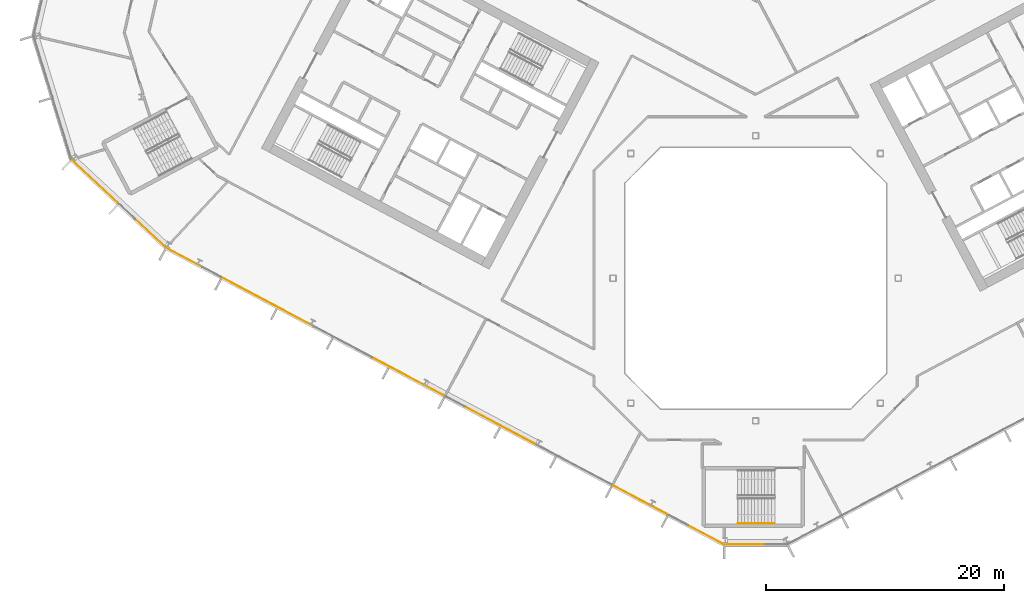
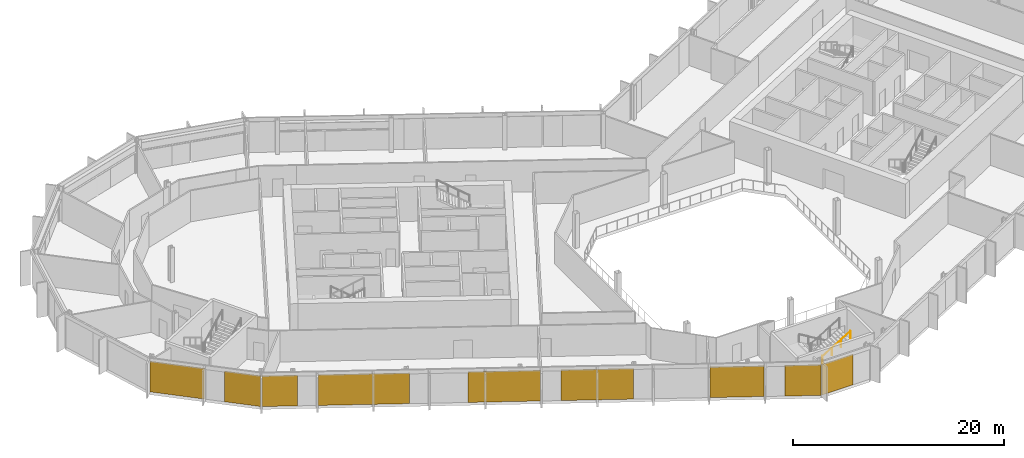
# One storey, part 19 of 28: 9 coverings, 1 railing, 3 elements without a shape of their own.
"""IFC4 building model written with IfcOpenShell, lengths in metres."""

from ifc_helpers import new_model, si_unit, direction, frame, origin, origin_2d, place, context, subcontext, project, spatial, polyline, rectangle, outline, extrude, material, layer, layer_set, type_object, element, aggregate, save


model = new_model("IFC4")

# Units and contexts
model_context = context("Model", 3, precision=1e-05, world=origin(), true_north=direction((0.0, 1.0)))
body_context = subcontext(model_context, "Body", "Model", "MODEL_VIEW")
ifc_project = project(units=[si_unit("LENGTHUNIT", "METRE"), si_unit("AREAUNIT", "SQUARE_METRE"), si_unit("VOLUMEUNIT", "CUBIC_METRE"), si_unit("PLANEANGLEUNIT", "RADIAN"), si_unit("MASSUNIT", "GRAM", prefix="KILO")], contexts=[model_context])

# Site, building, storey
site_placement = place(None, origin())
site = spatial("IfcSite", under=ifc_project, at=site_placement, CompositionType="ELEMENT")
building_placement = place(site_placement, origin())
building = spatial("IfcBuilding", under=site, at=building_placement, Name="Cormorant Relay Tower", CompositionType="ELEMENT")
storey_placement = place(building_placement, frame((0.0, 0.0, 174.199951171875)))
storey = spatial("IfcBuildingStorey", under=building, at=storey_placement, Name="L37", CompositionType="ELEMENT", Elevation=174.199951171875)

# Curtain wall, covering
ifc_material_1 = material(Name="Aluminium 6063-T6 anodised bronze", Category="aluminium")
ifc_layer_1 = layer(ifc_material_1, 0.199951171875)
ifc_layer_set_1 = layer_set([ifc_layer_1], Name="CW1 unitised bronze curtain wall with vertical fins")
curtain_wall_type = type_object("IfcCurtainWallType", Name="CW1 unitised bronze curtain wall with vertical fins", PredefinedType="NOTDEFINED", material=ifc_layer_set_1)
curtain_wall_1_placement = place(storey_placement, origin())
curtain_wall_1 = element("IfcCurtainWall", 1, at=curtain_wall_1_placement, inside=storey, type_object=curtain_wall_type, Name="CW1 curtain wall 1", PredefinedType="NOTDEFINED")
ifc_material_2 = material(Name="Pale bronze anodised aluminium insulated panel", Category="aluminium")
ifc_layer_2 = layer(ifc_material_2, 0.0400390625)
ifc_layer_set_2 = layer_set([ifc_layer_2], Name="CW1 pale bronze insulated panel 40")
covering_type = type_object("IfcCoveringType", Name="CW1 pale bronze insulated panel 40", PredefinedType="CLADDING", material=ifc_layer_set_2)
covering_1_placement = place(storey_placement, frame((-0.862548828125, -22.3955078125, 0.0), z_axis=(0.0, 0.0, 1.0), x_axis=(1.0, 0.0, 0.0)))
covering_1 = element("IfcCovering", 2, at=covering_1_placement, type_object=covering_type, Name="CW1 panel S00", PredefinedType="CLADDING", context=body_context, shape_type="SweptSolid", body=[
    extrude(rectangle(XDim=3.422607421875, YDim=0.0400390625, at=origin_2d()), origin(), (0.0, 0.0, 1.0), 3.550048828125),
])
aggregate(curtain_wall_1, [covering_1])

# Curtain wall, coverings
curtain_wall_2_placement = place(storey_placement, origin())
curtain_wall_2 = element("IfcCurtainWall", 3, at=curtain_wall_2_placement, inside=storey, type_object=curtain_wall_type, Name="CW1 curtain wall 15", PredefinedType="NOTDEFINED")
covering_2_placement = place(storey_placement, frame((-55.56787109375, 8.1298828125, 0.0), z_axis=(0.0, 0.0, 1.0), x_axis=(0.731353701619, -0.681998360062, 0.0)))
covering_2 = element("IfcCovering", 4, at=covering_2_placement, type_object=covering_type, Name="CW1 panel S00", PredefinedType="CLADDING", context=body_context, shape_type="SweptSolid", body=[
    extrude(rectangle(XDim=5.28515625, YDim=0.0400390625, at=origin_2d()), origin(), (0.0, 0.0, 1.0), 3.550048828125),
])
covering_3_placement = place(storey_placement, frame((-50.906982421875, 3.78369140625, 0.0), z_axis=(0.0, 0.0, 1.0), x_axis=(0.731353701619, -0.681998360062, 0.0)))
covering_3 = element("IfcCovering", 5, at=covering_3_placement, type_object=covering_type, Name="CW1 panel S02", PredefinedType="CLADDING", context=body_context, shape_type="SweptSolid", body=[
    extrude(rectangle(XDim=3.560302734375, YDim=0.0400390625, at=origin_2d()), origin(), (0.0, 0.0, 1.0), 3.550048828125),
])
aggregate(curtain_wall_2, [covering_2, covering_3])

curtain_wall_3_placement = place(storey_placement, origin())
curtain_wall_3 = element("IfcCurtainWall", 6, at=curtain_wall_3_placement, inside=storey, type_object=curtain_wall_type, Name="CW1 curtain wall 16", PredefinedType="NOTDEFINED")
covering_4_placement = place(storey_placement, frame((-48.048583984375, 1.7412109375, 0.0), z_axis=(0.0, 0.0, 1.0), x_axis=(0.882947592859, -0.469471562786, 0.0)))
covering_4 = element("IfcCovering", 7, at=covering_4_placement, type_object=covering_type, Name="CW1 panel S00", PredefinedType="CLADDING", context=body_context, shape_type="SweptSolid", body=[
    extrude(rectangle(XDim=3.36669921875, YDim=0.0400390625, at=origin_2d()), origin(), (0.0, 0.0, 1.0), 3.550048828125),
])
covering_5_placement = place(storey_placement, frame((-41.007080078125, -2.002685546875, 0.0), z_axis=(0.0, 0.0, 1.0), x_axis=(0.882947592859, -0.469471562786, 0.0)))
covering_5 = element("IfcCovering", 8, at=covering_5_placement, type_object=covering_type, Name="CW1 panel S02", PredefinedType="CLADDING", context=body_context, shape_type="SweptSolid", body=[
    extrude(rectangle(XDim=8.68310546875, YDim=0.0400390625, at=origin_2d()), origin(), (0.0, 0.0, 1.0), 3.550048828125),
])
covering_6_placement = place(storey_placement, frame((-29.234619140625, -8.26220703125, 0.0), z_axis=(0.0, 0.0, 1.0), x_axis=(0.882947592859, -0.469471562786, 0.0)))
covering_6 = element("IfcCovering", 9, at=covering_6_placement, type_object=covering_type, Name="CW1 panel S05", PredefinedType="CLADDING", context=body_context, shape_type="SweptSolid", body=[
    extrude(rectangle(XDim=6.88330078125, YDim=0.0400390625, at=origin_2d()), origin(), (0.0, 0.0, 1.0), 3.550048828125),
])
covering_7_placement = place(storey_placement, frame((-21.435302734375, -12.4091796875, 0.0), z_axis=(0.0, 0.0, 1.0), x_axis=(0.882947592859, -0.469471562786, 0.0)))
covering_7 = element("IfcCovering", 10, at=covering_7_placement, type_object=covering_type, Name="CW1 panel S07", PredefinedType="CLADDING", context=body_context, shape_type="SweptSolid", body=[
    extrude(rectangle(XDim=6.88330078125, YDim=0.0400390625, at=origin_2d()), origin(), (0.0, 0.0, 1.0), 3.550048828125),
])
covering_8_placement = place(storey_placement, frame((-9.69970703125, -18.649169921875, 0.0), z_axis=(0.0, 0.0, 1.0), x_axis=(0.882947592859, -0.469471562786, 0.0)))
covering_8 = element("IfcCovering", 11, at=covering_8_placement, type_object=covering_type, Name="CW1 panel S10", PredefinedType="CLADDING", context=body_context, shape_type="SweptSolid", body=[
    extrude(rectangle(XDim=5.16650390625, YDim=0.0400390625, at=origin_2d()), origin(), (0.0, 0.0, 1.0), 3.550048828125),
])
covering_9_placement = place(storey_placement, frame((-4.177490234375, -21.58544921875, 0.0), z_axis=(0.0, 0.0, 1.0), x_axis=(0.882947592859, -0.469471562786, 0.0)))
covering_9 = element("IfcCovering", 12, at=covering_9_placement, type_object=covering_type, Name="CW1 panel S12", PredefinedType="CLADDING", context=body_context, shape_type="SweptSolid", body=[
    extrude(rectangle(XDim=3.441650390625, YDim=0.0400390625, at=origin_2d()), origin(), (0.0, 0.0, 1.0), 3.550048828125),
])
aggregate(curtain_wall_3, [covering_4, covering_5, covering_6, covering_7, covering_8, covering_9])

# Railing
ifc_material_3 = material(Name="Steel ASTM A572 Grade 50 (Fy 345 MPa)", Category="steel")
railing_type = type_object("IfcRailingType", Name="Stair handrail 900", PredefinedType="HANDRAIL", material=ifc_material_3)
railing_placement = place(storey_placement, frame((-1.47998046875, -20.625, 2.166748046875)))
element("IfcRailing", 13, at=railing_placement, inside=storey, type_object=railing_type, Name="L37 RK1 stair handrail 2", PredefinedType="HANDRAIL", context=body_context, shape_type="SweptSolid", body=[
    extrude(outline(polyline([(0.022216796875, 0.00927734375), (0.00927734375, 0.022216796875), (-0.00927734375, 0.022216796875), (-0.022216796875, 0.00927734375), (-0.022216796875, -0.00927734375), (-0.00927734375, -0.022216796875), (0.00927734375, -0.022216796875), (0.022216796875, -0.00927734375), (0.022216796875, 0.00927734375)])), frame((0.0, 0.0, 0.8759765625), z_axis=(0.859308565015, 0.0, 0.511457515432), x_axis=(0.0, 1.0, 0.0)), (0.0, 0.0, 1.0), 3.58447265625),
    extrude(outline(polyline([(0.019287109375, 0.008056640625), (0.008056640625, 0.019287109375), (-0.008056640625, 0.019287109375), (-0.019287109375, 0.008056640625), (-0.019287109375, -0.008056640625), (-0.008056640625, -0.019287109375), (0.008056640625, -0.019287109375), (0.019287109375, -0.008056640625), (0.019287109375, 0.008056640625)])), origin(), (0.0, 0.0, 1.0), 0.851806640625),
    extrude(outline(polyline([(0.019287109375, 0.008056640625), (0.008056640625, 0.019287109375), (-0.008056640625, 0.019287109375), (-0.019287109375, 0.008056640625), (-0.019287109375, -0.008056640625), (-0.008056640625, -0.019287109375), (0.008056640625, -0.019287109375), (0.019287109375, -0.008056640625), (0.019287109375, 0.008056640625)])), frame((1.026611328125, 0.0, 0.611083984375)), (0.0, 0.0, 1.0), 0.851806640625),
    extrude(outline(polyline([(0.019287109375, 0.008056640625), (0.008056640625, 0.019287109375), (-0.008056640625, 0.019287109375), (-0.019287109375, 0.008056640625), (-0.019287109375, -0.008056640625), (-0.008056640625, -0.019287109375), (0.008056640625, -0.019287109375), (0.019287109375, -0.008056640625), (0.019287109375, 0.008056640625)])), frame((2.053466796875, 0.0, 1.22216796875)), (0.0, 0.0, 1.0), 0.851806640625),
    extrude(outline(polyline([(0.019287109375, 0.008056640625), (0.008056640625, 0.019287109375), (-0.008056640625, 0.019287109375), (-0.019287109375, 0.008056640625), (-0.019287109375, -0.008056640625), (-0.008056640625, -0.019287109375), (0.008056640625, -0.019287109375), (0.019287109375, -0.008056640625), (0.019287109375, 0.008056640625)])), frame((3.080078125, 0.0, 1.833251953125)), (0.0, 0.0, 1.0), 0.851806640625),
])

save(model, "model.ifc")
